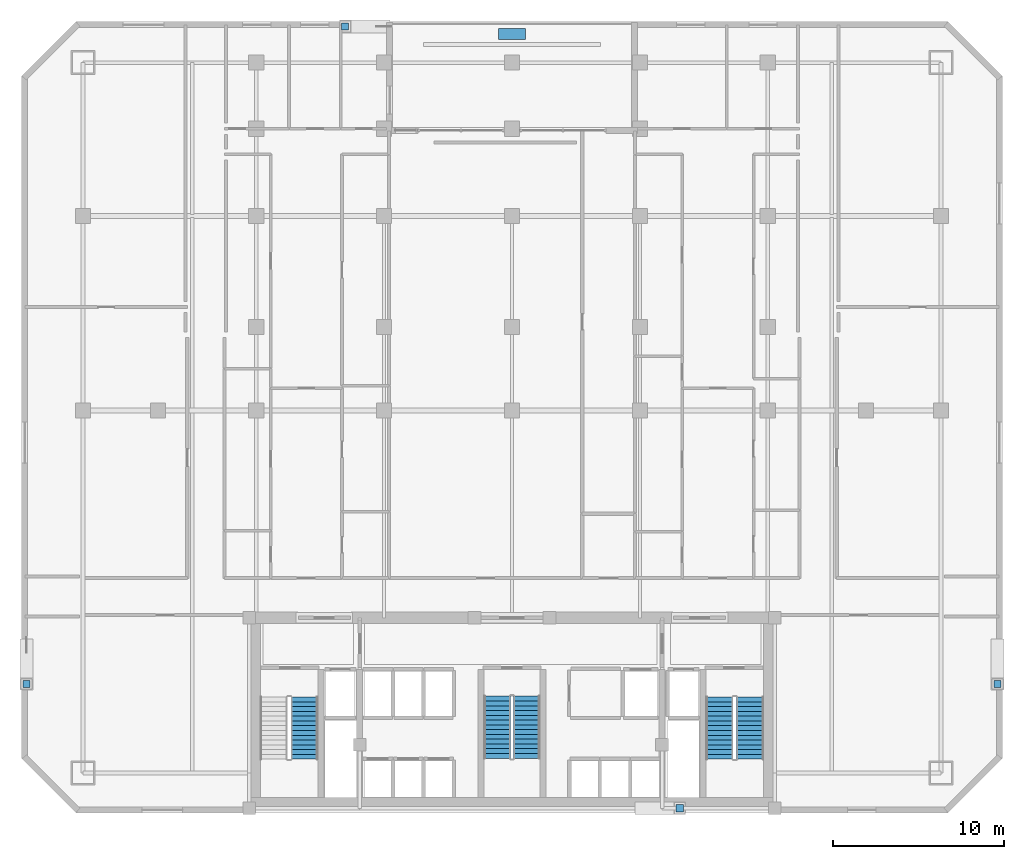
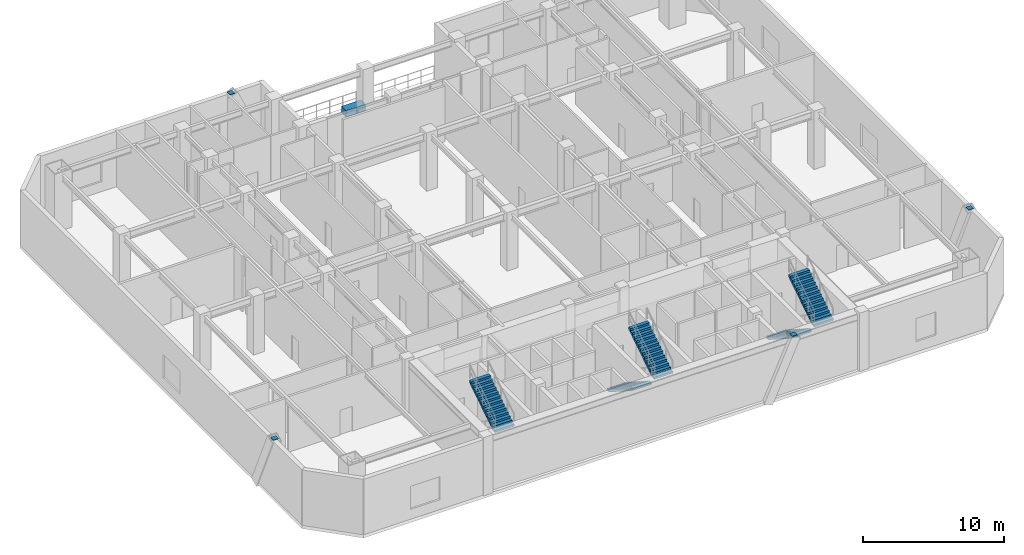
# One storey, part 11 of 12: 5 discrete accessories, 5 stair flights, 3 elements without a shape of their own.
"""IFC4 building model written with IfcOpenShell, lengths in metres."""

from ifc_helpers import new_model, si_unit, direction, frame, origin, origin_2d, place, context, subcontext, project, spatial, polyline, rectangle, outline, extrude, material, type_object, element, aggregate, save


model = new_model("IFC4")

# Units and contexts
model_context = context("Model", 3, precision=1e-05, world=origin(), true_north=direction((0.0, 1.0)))
body_context = subcontext(model_context, "Body", "Model", "MODEL_VIEW")
ifc_project = project(units=[si_unit("LENGTHUNIT", "METRE"), si_unit("AREAUNIT", "SQUARE_METRE"), si_unit("VOLUMEUNIT", "CUBIC_METRE"), si_unit("PLANEANGLEUNIT", "RADIAN"), si_unit("MASSUNIT", "GRAM", prefix="KILO")], contexts=[model_context])

# Site, building, storey
site_placement = place(None, origin())
site = spatial("IfcSite", under=ifc_project, at=site_placement, CompositionType="ELEMENT")
building_placement = place(site_placement, origin())
building = spatial("IfcBuilding", under=site, at=building_placement, Name="Ventersveld Concourse Tower", CompositionType="ELEMENT")
storey_placement = place(building_placement, frame((0.0, 0.0, 76.0)))
storey = spatial("IfcBuildingStorey", under=building, at=storey_placement, Name="L18", CompositionType="ELEMENT", Elevation=76.0)

# Stair, stair flights
ifc_material_1 = material(Name="Concrete C50/60", Category="concrete")
stair_type_1 = type_object("IfcStairType", Name="ST-DOG-155", PredefinedType="HALF_TURN_STAIR", material=ifc_material_1)
stair_1_placement = place(storey_placement, origin())
stair_1 = element("IfcStair", 1, at=stair_1_placement, inside=storey, type_object=stair_type_1, Name="L18 Protected Central Core Escape Stair ST-03", PredefinedType="HALF_TURN_STAIR")
stair_flight_type_1 = type_object("IfcStairFlightType", Name="STF-RC-155", PredefinedType="STRAIGHT", material=ifc_material_1)
stair_flight_1_placement = place(storey_placement, frame((27.875, 6.85009765625, 0.0), z_axis=(0.0, 0.0, 1.0), x_axis=(0.0, -1.0, 0.0)))
stair_flight_1 = element("IfcStairFlight", 2, at=stair_flight_1_placement, type_object=stair_flight_type_1, Name="ST-03 flight 1", NumberOfRisers=14, NumberOfTreads=13, PredefinedType="STRAIGHT", RiserHeight=0.180357143, TreadLength=0.28, context=body_context, shape_type="SweptSolid", body=[
    extrude(outline(polyline([(0.0, 0.0), (0.0, 0.180419921875), (0.280029296875, 0.180419921875), (0.280029296875, 0.360595703125), (0.56005859375, 0.360595703125), (0.56005859375, 0.541015625), (0.840087890625, 0.541015625), (0.840087890625, 0.721435546875), (1.1201171875, 0.721435546875), (1.1201171875, 0.90185546875), (1.39990234375, 0.90185546875), (1.39990234375, 1.08203125), (1.679931640625, 1.08203125), (1.679931640625, 1.262451171875), (1.9599609375, 1.262451171875), (1.9599609375, 1.44287109375), (2.239990234375, 1.44287109375), (2.239990234375, 1.623291015625), (2.52001953125, 1.623291015625), (2.52001953125, 1.803466796875), (2.800048828125, 1.803466796875), (2.800048828125, 1.98388671875), (3.080078125, 1.98388671875), (3.080078125, 2.164306640625), (3.360107421875, 2.164306640625), (3.360107421875, 2.3447265625), (3.639892578125, 2.3447265625), (3.639892578125, 2.52490234375), (3.639892578125, 2.166259765625), (0.27685546875, 0.0), (0.0, 0.0)])), frame((0.0, 0.77490234375, 0.0), z_axis=(0.0, -1.0, 0.0), x_axis=(1.0, 0.0, 0.0)), (0.0, 0.0, 1.0), 1.550048828125),
])
stair_flight_2_placement = place(storey_placement, frame((29.625, 3.2099609375, 2.52490234375), z_axis=(0.0, 0.0, 1.0), x_axis=(0.0, 1.0, 0.0)))
stair_flight_2 = element("IfcStairFlight", 3, at=stair_flight_2_placement, type_object=stair_flight_type_1, Name="ST-03 flight 2", NumberOfRisers=14, NumberOfTreads=13, PredefinedType="STRAIGHT", RiserHeight=0.180357143, TreadLength=0.28, context=body_context, shape_type="SweptSolid", body=[
    extrude(outline(polyline([(0.0, 0.0), (0.0, 0.180419921875), (0.280029296875, 0.180419921875), (0.280029296875, 0.360595703125), (0.56005859375, 0.360595703125), (0.56005859375, 0.541015625), (0.840087890625, 0.541015625), (0.840087890625, 0.721435546875), (1.1201171875, 0.721435546875), (1.1201171875, 0.90185546875), (1.39990234375, 0.90185546875), (1.39990234375, 1.08203125), (1.679931640625, 1.08203125), (1.679931640625, 1.262451171875), (1.9599609375, 1.262451171875), (1.9599609375, 1.44287109375), (2.239990234375, 1.44287109375), (2.239990234375, 1.623291015625), (2.52001953125, 1.623291015625), (2.52001953125, 1.803466796875), (2.800048828125, 1.803466796875), (2.800048828125, 1.98388671875), (3.080078125, 1.98388671875), (3.080078125, 2.164306640625), (3.360107421875, 2.164306640625), (3.360107421875, 2.3447265625), (3.639892578125, 2.3447265625), (3.639892578125, 2.52490234375), (3.639892578125, 2.166259765625), (0.27685546875, 0.0), (0.0, 0.0)])), frame((0.0, 0.77490234375, 0.0), z_axis=(0.0, -1.0, 0.0), x_axis=(1.0, 0.0, 0.0)), (0.0, 0.0, 1.0), 1.550048828125),
])
aggregate(stair_1, [stair_flight_1, stair_flight_2])

# Stair, stair flight
stair_type_2 = type_object("IfcStairType", Name="ST-DOG-160", PredefinedType="HALF_TURN_STAIR", material=ifc_material_1)
stair_2_placement = place(storey_placement, origin())
stair_2 = element("IfcStair", 4, at=stair_2_placement, inside=storey, type_object=stair_type_2, Name="L18 Protected Tower Escape Stair ST-01", PredefinedType="HALF_TURN_STAIR")
stair_flight_type_2 = type_object("IfcStairFlightType", Name="STF-RC-160", PredefinedType="STRAIGHT", material=ifc_material_1)
stair_flight_3_placement = place(storey_placement, frame((16.580078125, 3.159912109375, 2.52490234375), z_axis=(0.0, 0.0, 1.0), x_axis=(0.0, 1.0, 0.0)))
stair_flight_3 = element("IfcStairFlight", 5, at=stair_flight_3_placement, type_object=stair_flight_type_2, Name="ST-01 flight 2", NumberOfRisers=14, NumberOfTreads=13, PredefinedType="STRAIGHT", RiserHeight=0.180357143, TreadLength=0.28, context=body_context, shape_type="SweptSolid", body=[
    extrude(outline(polyline([(0.0, 0.0), (0.0, 0.180419921875), (0.280029296875, 0.180419921875), (0.280029296875, 0.360595703125), (0.56005859375, 0.360595703125), (0.56005859375, 0.541015625), (0.840087890625, 0.541015625), (0.840087890625, 0.721435546875), (1.1201171875, 0.721435546875), (1.1201171875, 0.90185546875), (1.39990234375, 0.90185546875), (1.39990234375, 1.08203125), (1.679931640625, 1.08203125), (1.679931640625, 1.262451171875), (1.9599609375, 1.262451171875), (1.9599609375, 1.44287109375), (2.239990234375, 1.44287109375), (2.239990234375, 1.623291015625), (2.52001953125, 1.623291015625), (2.52001953125, 1.803466796875), (2.800048828125, 1.803466796875), (2.800048828125, 1.98388671875), (3.080078125, 1.98388671875), (3.080078125, 2.164306640625), (3.360107421875, 2.164306640625), (3.360107421875, 2.3447265625), (3.639892578125, 2.3447265625), (3.639892578125, 2.52490234375), (3.639892578125, 2.166259765625), (0.27685546875, 0.0), (0.0, 0.0)])), frame((0.0, 0.800048828125, 0.0), z_axis=(0.0, -1.0, 0.0), x_axis=(1.0, 0.0, 0.0)), (0.0, 0.0, 1.0), 1.60009765625),
])
aggregate(stair_2, [stair_flight_3])

# Stair, stair flights
stair_3_placement = place(storey_placement, origin())
stair_3 = element("IfcStair", 6, at=stair_3_placement, inside=storey, type_object=stair_type_2, Name="L18 Protected Tower Escape Stair ST-02", PredefinedType="HALF_TURN_STAIR")
stair_flight_4_placement = place(storey_placement, frame((40.919921875, 6.800048828125, 0.0), z_axis=(0.0, 0.0, 1.0), x_axis=(0.0, -1.0, 0.0)))
stair_flight_4 = element("IfcStairFlight", 7, at=stair_flight_4_placement, type_object=stair_flight_type_2, Name="ST-02 flight 1", NumberOfRisers=14, NumberOfTreads=13, PredefinedType="STRAIGHT", RiserHeight=0.180357143, TreadLength=0.28, context=body_context, shape_type="SweptSolid", body=[
    extrude(outline(polyline([(0.0, 0.0), (0.0, 0.180419921875), (0.280029296875, 0.180419921875), (0.280029296875, 0.360595703125), (0.56005859375, 0.360595703125), (0.56005859375, 0.541015625), (0.840087890625, 0.541015625), (0.840087890625, 0.721435546875), (1.1201171875, 0.721435546875), (1.1201171875, 0.90185546875), (1.39990234375, 0.90185546875), (1.39990234375, 1.08203125), (1.679931640625, 1.08203125), (1.679931640625, 1.262451171875), (1.9599609375, 1.262451171875), (1.9599609375, 1.44287109375), (2.239990234375, 1.44287109375), (2.239990234375, 1.623291015625), (2.52001953125, 1.623291015625), (2.52001953125, 1.803466796875), (2.800048828125, 1.803466796875), (2.800048828125, 1.98388671875), (3.080078125, 1.98388671875), (3.080078125, 2.164306640625), (3.360107421875, 2.164306640625), (3.360107421875, 2.3447265625), (3.639892578125, 2.3447265625), (3.639892578125, 2.52490234375), (3.639892578125, 2.166259765625), (0.27685546875, 0.0), (0.0, 0.0)])), frame((0.0, 0.800048828125, 0.0), z_axis=(0.0, -1.0, 0.0), x_axis=(1.0, 0.0, 0.0)), (0.0, 0.0, 1.0), 1.60009765625),
])
stair_flight_5_placement = place(storey_placement, frame((42.719970703125, 3.159912109375, 2.52490234375), z_axis=(0.0, 0.0, 1.0), x_axis=(0.0, 1.0, 0.0)))
stair_flight_5 = element("IfcStairFlight", 8, at=stair_flight_5_placement, type_object=stair_flight_type_2, Name="ST-02 flight 2", NumberOfRisers=14, NumberOfTreads=13, PredefinedType="STRAIGHT", RiserHeight=0.180357143, TreadLength=0.28, context=body_context, shape_type="SweptSolid", body=[
    extrude(outline(polyline([(0.0, 0.0), (0.0, 0.180419921875), (0.280029296875, 0.180419921875), (0.280029296875, 0.360595703125), (0.56005859375, 0.360595703125), (0.56005859375, 0.541015625), (0.840087890625, 0.541015625), (0.840087890625, 0.721435546875), (1.1201171875, 0.721435546875), (1.1201171875, 0.90185546875), (1.39990234375, 0.90185546875), (1.39990234375, 1.08203125), (1.679931640625, 1.08203125), (1.679931640625, 1.262451171875), (1.9599609375, 1.262451171875), (1.9599609375, 1.44287109375), (2.239990234375, 1.44287109375), (2.239990234375, 1.623291015625), (2.52001953125, 1.623291015625), (2.52001953125, 1.803466796875), (2.800048828125, 1.803466796875), (2.800048828125, 1.98388671875), (3.080078125, 1.98388671875), (3.080078125, 2.164306640625), (3.360107421875, 2.164306640625), (3.360107421875, 2.3447265625), (3.639892578125, 2.3447265625), (3.639892578125, 2.52490234375), (3.639892578125, 2.166259765625), (0.27685546875, 0.0), (0.0, 0.0)])), frame((0.0, 0.800048828125, 0.0), z_axis=(0.0, -1.0, 0.0), x_axis=(1.0, 0.0, 0.0)), (0.0, 0.0, 1.0), 1.60009765625),
])
aggregate(stair_3, [stair_flight_4, stair_flight_5])

# Discrete accessories
ifc_material_2 = material(Name="Structural steel S355J2", Category="steel")
discrete_accessory_type_1 = type_object("IfcDiscreteAccessoryType", Name="CONN-BRACE-ECP1", PredefinedType="BRACKET", material=ifc_material_2)
for number, where, z_axis, x_axis, name in (
    (9, (18.968505859375, 46.1201171875, 4.780029296875), (0.0, 0.0, 1.0), (1.0, 0.0, 0.0), "L18 Steel Brace End Connection Plate ECP1-0249"),
    (10, (38.58154296875, 0.280029296875, 4.780029296875), (0.0, 0.0, 1.0), (1.0, 0.0, 0.0), "L18 Steel Brace End Connection Plate ECP1-0253"),
    (11, (0.280029296875, 7.568359375, 4.780029296875), (0.0, 0.0, 1.0), (1.0, 0.0, 0.0), "L18 Steel Brace End Connection Plate ECP1-0257"),
    (12, (57.219970703125, 7.568359375, 4.780029296875), (0.0, 0.0, 1.0), (1.0, 0.0, 0.0), "L18 Steel Brace End Connection Plate ECP1-0261"),
):
    element("IfcDiscreteAccessory", number, at=place(storey_placement, frame(where, z_axis=z_axis, x_axis=x_axis)), inside=storey, type_object=discrete_accessory_type_1, Name=name, PredefinedType="BRACKET", context=body_context, shape_type="SweptSolid", body=[
        extrude(rectangle(XDim=0.419921875, YDim=0.419921875, at=origin_2d()), origin(), (0.0, 0.0, 1.0), 0.0400390625),
    ])
ifc_material_3 = material(Name="Precast concrete C45/55", Category="concrete")
discrete_accessory_type_2 = type_object("IfcDiscreteAccessoryType", Name="PLN-TERR-180", PredefinedType="USERDEFINED", material=ifc_material_3)
discrete_accessory_placement = place(storey_placement, frame((28.75, 45.679931640625, 0.0), z_axis=(0.0, 0.0, 1.0), x_axis=(1.0, 0.0, 0.0)))
element("IfcDiscreteAccessory", 13, at=discrete_accessory_placement, inside=storey, type_object=discrete_accessory_type_2, Name="L18 Planted Precast Terrace Planter Box SKYGARDEN", ObjectType="PLANTER", PredefinedType="USERDEFINED", context=body_context, shape_type="SweptSolid", body=[
    extrude(rectangle(XDim=1.60009765625, YDim=0.64990234375, at=origin_2d()), origin(), (0.0, 0.0, 1.0), 0.550048828125),
])

save(model, "model.ifc")
